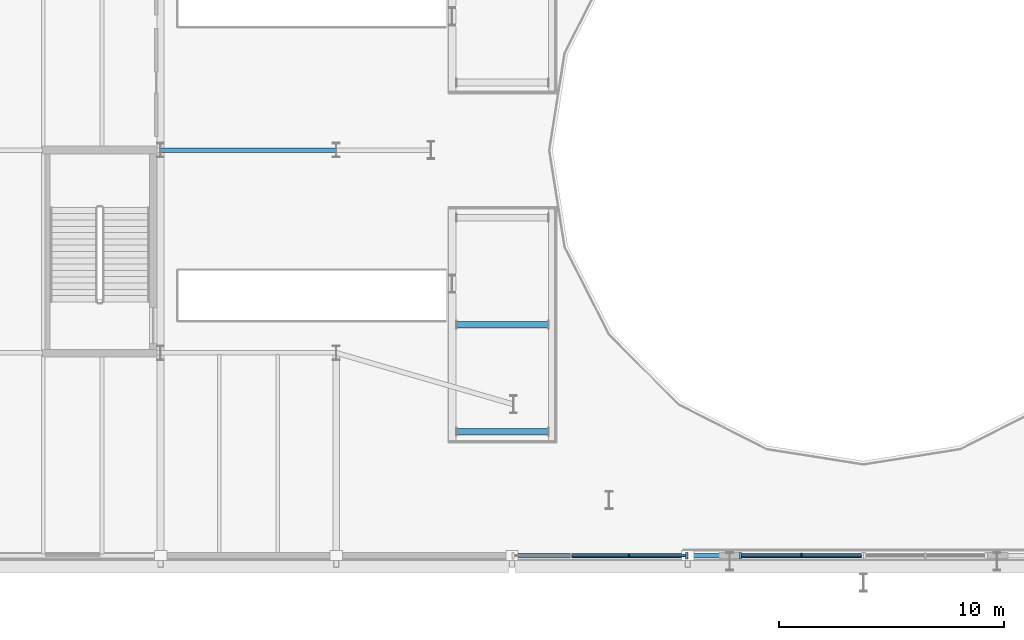
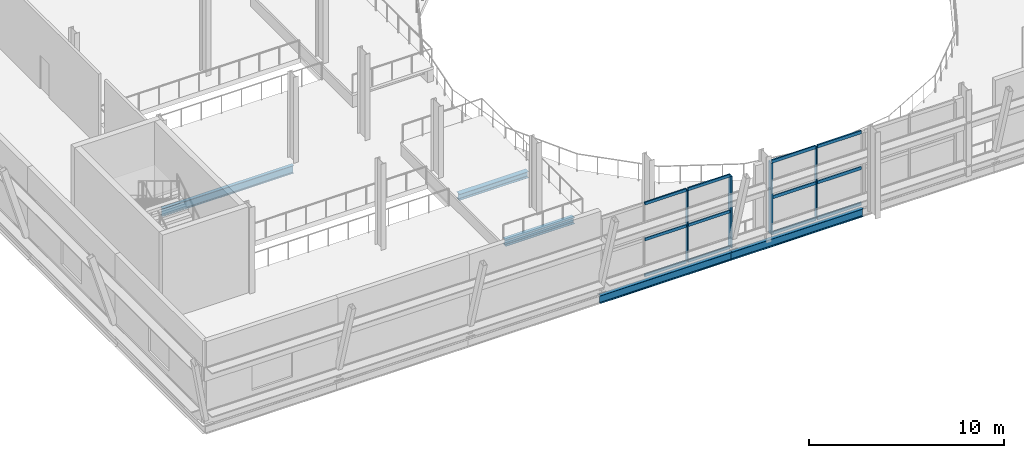
# One storey, part 17 of 78: 16 members, 5 beams, 2 elements without a shape of their own.
"""IFC4 building model written with IfcOpenShell, lengths in metres."""

import ifcopenshell
import ifcopenshell.guid

model = None  # the IFC model being written
_history = None  # IfcOwnerHistory: only IFC2X3 demands one
_inside = {}  # id of a spatial element -> (the spatial element, [elements in it])
_under = {}  # id of a project, library or spatial element -> (it, [spatial elements below it])
_declared = {}  # id of a project -> (the project, [libraries it declares])
_typed = {}  # id of a type object -> (the type object, [elements of that type])
_made_of = {}  # id of a material, layer set ... -> (it, [elements and type objects made of it])


def new_model(schema):
    """Start an empty IFC model of exactly this schema.

    Asked for "IFC4X3", IfcOpenShell would pick the latest addendum, in which some entities
    have other attributes; the version numbers below select the first issue.
    IFC2X3 requires an IfcOwnerHistory on every rooted entity: one is made here for all.
    """
    global model, _history
    if schema == "IFC4X3":
        model = ifcopenshell.file(schema_version=(4, 3, 0, 0))
    else:
        model = ifcopenshell.file(schema=schema)
    _inside.clear()
    _under.clear()
    _declared.clear()
    _typed.clear()
    _made_of.clear()
    _history = None
    if model.schema == "IFC2X3":
        org = make("IfcOrganization", Name="unknown")
        user = make(
            "IfcPersonAndOrganization",
            ThePerson=make("IfcPerson", FamilyName="unknown"),
            TheOrganization=org,
        )
        app = make(
            "IfcApplication",
            ApplicationDeveloper=org,
            Version="unknown",
            ApplicationFullName="unknown",
            ApplicationIdentifier="unknown",
        )
        _history = make(
            "IfcOwnerHistory",
            OwningUser=user,
            OwningApplication=app,
            ChangeAction="ADDED",
            CreationDate=0,
        )
    return model


def make(cls, **values):
    """One entity of the class cls with the attributes given. An attribute that is None is left unset."""
    return model.create_entity(
        cls, **{name: value for name, value in values.items() if value is not None}
    )


def rooted(cls, **values):
    """An entity with a GlobalId (a new one), such as an element, a storey or a relation."""
    return make(cls, GlobalId=ifcopenshell.guid.new(), OwnerHistory=_history, **values)


def si_unit(unit_type, name, prefix=None):
    """IfcSIUnit, for example si_unit("LENGTHUNIT", "METRE", prefix="MILLI")."""
    return make("IfcSIUnit", UnitType=unit_type, Prefix=prefix, Name=name)


def assignment(units):
    """IfcUnitAssignment: the units of a project."""
    return None if units is None else make("IfcUnitAssignment", Units=units)


def point(xyz):
    """IfcCartesianPoint."""
    return None if xyz is None else make("IfcCartesianPoint", Coordinates=xyz)


def direction(xyz):
    """IfcDirection."""
    return None if xyz is None else make("IfcDirection", DirectionRatios=xyz)


def frame(location, z_axis=None, x_axis=None):
    """IfcAxis2Placement3D, a coordinate frame: its origin and axes. An axis left out is left unset."""
    return make(
        "IfcAxis2Placement3D",
        Location=point(location),
        Axis=direction(z_axis),
        RefDirection=direction(x_axis),
    )


def frame_2d(location, x_axis=None):
    """IfcAxis2Placement2D, a coordinate frame in the plane: its origin and x axis."""
    return make(
        "IfcAxis2Placement2D", Location=point(location), RefDirection=direction(x_axis)
    )


def origin():
    """The frame at (0, 0, 0) with its axes left unset."""
    return frame((0.0, 0.0, 0.0))


def origin_2d():
    """The frame at (0, 0) in the plane with its x axis left unset."""
    return frame_2d((0.0, 0.0))


def place(relative_to, where):
    """IfcLocalPlacement: puts the frame where relative to a parent placement (None: the world)."""
    return make(
        "IfcLocalPlacement", PlacementRelTo=relative_to, RelativePlacement=where
    )


def context(
    kind, dimensions, precision=None, world=None, true_north=None, identifier=None
):
    """IfcGeometricRepresentationContext, for example the 3D "Model" context."""
    return make(
        "IfcGeometricRepresentationContext",
        ContextIdentifier=identifier,
        ContextType=kind,
        CoordinateSpaceDimension=dimensions,
        Precision=precision,
        WorldCoordinateSystem=world,
        TrueNorth=true_north,
    )


def subcontext(parent, identifier, kind, view, scale=None):
    """IfcGeometricRepresentationSubContext, for example "Body" below "Model"."""
    return make(
        "IfcGeometricRepresentationSubContext",
        ContextIdentifier=identifier,
        ContextType=kind,
        ParentContext=parent,
        TargetScale=scale,
        TargetView=view,
    )


def project(units=None, contexts=None):
    """IfcProject with its units and contexts."""
    return rooted(
        "IfcProject",
        Name="project",
        RepresentationContexts=contexts,
        UnitsInContext=assignment(units),
    )


def spatial(cls, under=None, at=None, **own):
    """A site, building, storey or space (cls), placed at a placement, below another one or the project."""
    s = rooted(cls, ObjectPlacement=at, **own)
    if under is not None:
        _under.setdefault(under.id(), (under, []))[1].append(s)
    return s


def profile(cls, at=None, kind="AREA", **sizes):
    """A parametric profile (cls). Its sizes go by their IFC names, for example OverallWidth=200.0."""
    return make(cls, ProfileType=kind, Position=at, **sizes)


def rectangle(**sizes):
    """IfcRectangleProfileDef."""
    return profile("IfcRectangleProfileDef", **sizes)


def i_section(**sizes):
    """IfcIShapeProfileDef."""
    return profile("IfcIShapeProfileDef", **sizes)


def extrude(swept, where, along, depth):
    """IfcExtrudedAreaSolid: the profile swept, set in the frame where, extruded along a direction by depth."""
    return make(
        "IfcExtrudedAreaSolid",
        SweptArea=swept,
        Position=where,
        ExtrudedDirection=direction(along),
        Depth=depth,
    )


def shape(context_of_items, identifier, shape_type, items):
    """IfcShapeRepresentation: the items that make up one representation, for example the "Body"."""
    return make(
        "IfcShapeRepresentation",
        ContextOfItems=context_of_items,
        RepresentationIdentifier=identifier,
        RepresentationType=shape_type,
        Items=items,
    )


def material(Name=None, Category=None):
    """IfcMaterial."""
    return make("IfcMaterial", Name=Name, Category=Category)


def layer(
    of_material, thickness, ventilated=None, Name=None, Category=None, Priority=None
):
    """IfcMaterialLayer: one layer of a wall or slab, of a material (None: an air gap)."""
    return make(
        "IfcMaterialLayer",
        Material=of_material,
        LayerThickness=thickness,
        IsVentilated=ventilated,
        Name=Name,
        Category=Category,
        Priority=Priority,
    )


def layer_set(layers, Name=None):
    """IfcMaterialLayerSet."""
    return make("IfcMaterialLayerSet", MaterialLayers=layers, LayerSetName=Name)


def material_profile(
    of_material, cross_section, Name=None, Category=None, Priority=None
):
    """IfcMaterialProfile: a cross section and its material."""
    return make(
        "IfcMaterialProfile",
        Name=Name,
        Material=of_material,
        Profile=cross_section,
        Priority=Priority,
        Category=Category,
    )


def profile_set(profiles, Name=None, composite=None):
    """IfcMaterialProfileSet."""
    return make(
        "IfcMaterialProfileSet",
        Name=Name,
        MaterialProfiles=profiles,
        CompositeProfile=composite,
    )


def made_of(thing, what):
    """Note that an element or type object is made of a material, layer set ...; save() writes the relation."""
    if what is not None:
        _made_of.setdefault(what.id(), (what, []))[1].append(thing)
    return thing


def type_object(cls, material=None, **own):
    """A type object (cls), such as IfcWallType, which elements share."""
    return made_of(rooted(cls, **own), material)


def element(
    cls,
    number,
    at=None,
    inside=None,
    cuts=None,
    type_object=None,
    material=None,
    context=None,
    identifier="Body",
    shape_type=None,
    held_by="IfcProductDefinitionShape",
    body=None,
    shapes=None,
    **own,
):
    """One element of the class cls, such as IfcWall. Its Tag is "e" and its number.

    at: its placement. inside: the storey or other place that contains it. cuts: it is an
    opening in that element (IfcRelVoidsElement). A single representation is given by context,
    identifier, shape_type and body (its items); several are given by shapes. held_by: the class
    of the entity that holds the representations. save() writes the other relations.
    """
    e = rooted(cls, Tag="e%d" % number, ObjectPlacement=at, **own)
    if body is not None:
        shapes = [shape(context, identifier, shape_type, body)]
    if shapes is not None:
        e.Representation = make(held_by, Representations=shapes)
    if inside is not None:
        _inside.setdefault(inside.id(), (inside, []))[1].append(e)
    if cuts is not None:
        rooted(
            "IfcRelVoidsElement", RelatingBuildingElement=cuts, RelatedOpeningElement=e
        )
    if type_object is not None:
        _typed.setdefault(type_object.id(), (type_object, []))[1].append(e)
    return made_of(e, material)


def aggregate(whole, parts):
    """IfcRelAggregates: a whole, such as a stair, and the parts it consists of."""
    return rooted("IfcRelAggregates", RelatingObject=whole, RelatedObjects=parts)


def save(model, path):
    """Write the relations noted so far, then the file.

    IfcRelAggregates (storeys below a building ...), IfcRelContainedInSpatialStructure (elements
    in a storey), IfcRelDefinesByType, IfcRelAssociatesMaterial and IfcRelDeclares: one each for
    every whole, place, type object, material and project.
    """
    for whole, parts in _under.values():
        aggregate(whole, parts)
    for where, things in _inside.values():
        rooted(
            "IfcRelContainedInSpatialStructure",
            RelatedElements=things,
            RelatingStructure=where,
        )
    for kind, things in _typed.values():
        rooted("IfcRelDefinesByType", RelatedObjects=things, RelatingType=kind)
    for what, things in _made_of.values():
        rooted("IfcRelAssociatesMaterial", RelatedObjects=things, RelatingMaterial=what)
    for by, libraries in _declared.values():
        rooted("IfcRelDeclares", RelatingContext=by, RelatedDefinitions=libraries)
    model.write(path)


model = new_model("IFC4")

# Units and contexts
model_context = context("Model", 3, precision=1e-05, world=origin(), true_north=direction((0.0, 1.0)))
body_context = subcontext(model_context, "Body", "Model", "MODEL_VIEW")
ifc_project = project(units=[si_unit("LENGTHUNIT", "METRE"), si_unit("AREAUNIT", "SQUARE_METRE"), si_unit("VOLUMEUNIT", "CUBIC_METRE"), si_unit("PLANEANGLEUNIT", "RADIAN"), si_unit("MASSUNIT", "GRAM", prefix="KILO")], contexts=[model_context])

# Site, building, storey
site_placement = place(None, origin())
site = spatial("IfcSite", under=ifc_project, at=site_placement, CompositionType="ELEMENT")
building_placement = place(site_placement, origin())
building = spatial("IfcBuilding", under=site, at=building_placement, Name="Sefraquen Railside Congress Hotel", CompositionType="ELEMENT")
storey_placement = place(building_placement, frame((0.0, 0.0, 6.0)))
storey = spatial("IfcBuildingStorey", under=building, at=storey_placement, Name="L01", CompositionType="ELEMENT", Elevation=6.0)

# Beams
ifc_material_1 = material(Name="Steel S355JR", Category="steel")
ifc_material_profile_1 = material_profile(ifc_material_1, i_section(OverallWidth=0.300048828125, OverallDepth=0.389892578125, WebThickness=0.010986328125, FlangeThickness=0.01904296875, FilletRadius=0.027099609375, at=origin_2d()), Name="HEA 400")
ifc_profile_set_1 = profile_set([ifc_material_profile_1], Name="Steel S355JR")
beam_type_1 = type_object("IfcBeamType", Name="TB-BM-400", PredefinedType="BEAM", material=ifc_profile_set_1)
for number, where, z_axis, x_axis, name in (
    (1, (46.125, 14.5, 0.544921875), (1.0, 0.0, 0.0), (0.0, 1.0, 0.0), "Congress Upper Tier RAKER beam L01-01A"),
    (2, (46.125, 19.25, 0.544921875), (1.0, 0.0, 0.0), (0.0, 1.0, 0.0), "Congress Upper Tier RAKER beam L01-01M"),
):
    element("IfcBeam", number, at=place(storey_placement, frame(where, z_axis=z_axis, x_axis=x_axis)), inside=storey, type_object=beam_type_1, Name=name, PredefinedType="BEAM", context=body_context, shape_type="SweptSolid", body=[
        extrude(i_section(OverallWidth=0.300048828125, OverallDepth=0.389892578125, WebThickness=0.010986328125, FlangeThickness=0.01904296875, FilletRadius=0.027099609375, at=origin_2d()), origin(), (0.0, 0.0, 1.0), 4.10009765625),
    ])
ifc_material_profile_2 = material_profile(ifc_material_1, i_section(OverallWidth=0.199951171875, OverallDepth=0.5, WebThickness=0.01025390625, FlangeThickness=0.01611328125, FilletRadius=0.02099609375, at=origin_2d()), Name="IPE 500")
ifc_profile_set_2 = profile_set([ifc_material_profile_2], Name="Steel S355JR")
beam_type_2 = type_object("IfcBeamType", Name="TB-BM-500", PredefinedType="BEAM", material=ifc_profile_set_2)
beam_placement = place(storey_placement, frame((48.60009765625, 9.0, -0.550048828125), z_axis=(1.0, 0.0, 0.0), x_axis=(0.0, 1.0, 0.0)))
element("IfcBeam", 3, at=beam_placement, inside=storey, type_object=beam_type_2, Name="Primary girder BM-L01-0342", PredefinedType="BEAM", context=body_context, shape_type="SweptSolid", body=[
    extrude(i_section(OverallWidth=0.199951171875, OverallDepth=0.5, WebThickness=0.01025390625, FlangeThickness=0.01611328125, FilletRadius=0.02099609375, at=origin_2d()), origin(), (0.0, 0.0, 1.0), 7.7998046875),
])
for number, where, z_axis, x_axis, name in (
    (4, (56.39990234375, 9.0, -0.550048828125), (1.0, 0.0, 0.0), (0.0, 1.0, 0.0), "Primary girder BM-L01-0343"),
    (5, (33.0, 27.0, -0.550048828125), (1.0, 0.0, 0.0), (0.0, 1.0, 0.0), "Primary girder BM-L01-0366"),
):
    element("IfcBeam", number, at=place(storey_placement, frame(where, z_axis=z_axis, x_axis=x_axis)), inside=storey, type_object=beam_type_2, Name=name, PredefinedType="BEAM", context=body_context, shape_type="SweptSolid", body=[
        extrude(i_section(OverallWidth=0.199951171875, OverallDepth=0.5, WebThickness=0.01025390625, FlangeThickness=0.01611328125, FilletRadius=0.02099609375, at=origin_2d()), origin(), (0.0, 0.0, 1.0), 7.800048828125),
    ])

# Curtain wall, member
ifc_material_2 = material(Name="Thermally broken anodised aluminium and low-E double glazing", Category="aluminium")
ifc_layer_1 = layer(ifc_material_2, 0.199951171875)
ifc_layer_set_1 = layer_set([ifc_layer_1], Name="Thermally broken anodised aluminium and low-E double glazing")
curtain_wall_type_1 = type_object("IfcCurtainWallType", Name="TCW-UCW-05", PredefinedType="USERDEFINED", material=ifc_layer_set_1)
curtain_wall_1_placement = place(storey_placement, origin())
curtain_wall_1 = element("IfcCurtainWall", 6, at=curtain_wall_1_placement, inside=storey, type_object=curtain_wall_type_1, Name="Congress leaning south curtain wall L01-4", ObjectType="UNITISED CURTAIN WALL", PredefinedType="USERDEFINED")
ifc_material_3 = material(Name="Thermally broken anodised aluminium 6063-T6", Category="aluminium")
ifc_material_profile_3 = material_profile(ifc_material_3, rectangle(XDim=0.06494140625, YDim=0.179931640625, at=origin_2d()), Name="CWM 65x180")
ifc_profile_set_3 = profile_set([ifc_material_profile_3], Name="Thermally broken anodised aluminium 6063-T6")
member_type_1 = type_object("IfcMemberType", Name="TM-CWM-02", PredefinedType="MULLION", material=ifc_profile_set_3)
member_1_placement = place(storey_placement, frame((53.78662109375, 9.0, 0.0), z_axis=(0.0, 0.0, 1.0), x_axis=(1.0, 0.0, 0.0)))
member_1 = element("IfcMember", 7, at=member_1_placement, type_object=member_type_1, Name="CW-L01-037 mullion 3", PredefinedType="MULLION", context=body_context, shape_type="SweptSolid", body=[
    extrude(rectangle(XDim=0.06494140625, YDim=0.179931640625, at=origin_2d()), origin(), (0.0, 0.0, 1.0), 4.5),
])

ifc_layer_2 = layer(ifc_material_2, 0.199951171875)
ifc_layer_set_2 = layer_set([ifc_layer_2], Name="Thermally broken anodised aluminium and low-E double glazing")
curtain_wall_type_2 = type_object("IfcCurtainWallType", Name="TCW-UCW-06", PredefinedType="USERDEFINED", material=ifc_layer_set_2)
curtain_wall_2_placement = place(storey_placement, origin())
curtain_wall_2 = element("IfcCurtainWall", 8, at=curtain_wall_2_placement, inside=storey, type_object=curtain_wall_type_2, Name="Congress leaning south curtain wall L01-5", ObjectType="UNITISED CURTAIN WALL", PredefinedType="USERDEFINED")
ifc_material_profile_4 = material_profile(ifc_material_3, rectangle(XDim=0.070068359375, YDim=0.199951171875, at=origin_2d()), Name="CWM 70x200")
ifc_profile_set_4 = profile_set([ifc_material_profile_4], Name="Thermally broken anodised aluminium 6063-T6")
member_type_2 = type_object("IfcMemberType", Name="TM-CWM-03", PredefinedType="MULLION", material=ifc_profile_set_4)
member_2_placement = place(storey_placement, frame((61.453369140625, 9.0, 0.0), z_axis=(0.0, 0.0, 1.0), x_axis=(1.0, 0.0, 0.0)))
member_2 = element("IfcMember", 9, at=member_2_placement, type_object=member_type_2, Name="CW-L01-038 mullion 2", PredefinedType="MULLION", context=body_context, shape_type="SweptSolid", body=[
    extrude(rectangle(XDim=0.070068359375, YDim=0.199951171875, at=origin_2d()), origin(), (0.0, 0.0, 1.0), 4.5),
])

# Member
ifc_material_profile_5 = material_profile(ifc_material_3, rectangle(XDim=0.094970703125, YDim=0.300048828125, at=origin_2d()), Name="CWM 95x300")
ifc_profile_set_5 = profile_set([ifc_material_profile_5], Name="Thermally broken anodised aluminium 6063-T6")
member_type_3 = type_object("IfcMemberType", Name="TM-CWM-08", PredefinedType="MULLION", material=ifc_profile_set_5)
member_3_placement = place(storey_placement, frame((56.360107421875, 9.0, 0.0), z_axis=(0.0, 0.0, 1.0), x_axis=(1.0, 0.0, 0.0)))
member_3 = element("IfcMember", 10, at=member_3_placement, type_object=member_type_3, Name="CW-L01-037 mullion 4", PredefinedType="MULLION", context=body_context, shape_type="SweptSolid", body=[
    extrude(rectangle(XDim=0.094970703125, YDim=0.300048828125, at=origin_2d()), origin(), (0.0, 0.0, 1.0), 4.5),
])

member_4_placement = place(storey_placement, frame((58.746826171875, 9.0, 0.0), z_axis=(0.0, 0.0, 1.0), x_axis=(1.0, 0.0, 0.0)))
member_4 = element("IfcMember", 11, at=member_4_placement, type_object=member_type_3, Name="CW-L01-038 mullion 1", PredefinedType="MULLION", context=body_context, shape_type="SweptSolid", body=[
    extrude(rectangle(XDim=0.094970703125, YDim=0.300048828125, at=origin_2d()), origin(), (0.0, 0.0, 1.0), 4.5),
])

ifc_material_profile_6 = material_profile(ifc_material_3, rectangle(XDim=0.080078125, YDim=0.179931640625, at=origin_2d()), Name="CWT 80x180")
ifc_profile_set_6 = profile_set([ifc_material_profile_6], Name="Thermally broken anodised aluminium 6063-T6")
member_type_4 = type_object("IfcMemberType", Name="TM-CWT-05", PredefinedType="USERDEFINED", material=ifc_profile_set_6)
member_5_placement = place(storey_placement, frame((51.25830078125, 9.0, 0.0), z_axis=(1.0, 0.0, 0.0), x_axis=(0.0, 1.0, 0.0)))
member_5 = element("IfcMember", 12, at=member_5_placement, type_object=member_type_4, Name="CW-L01-037 transom 1.2", ObjectType="TRANSOM", PredefinedType="USERDEFINED", context=body_context, shape_type="SweptSolid", body=[
    extrude(rectangle(XDim=0.080078125, YDim=0.179931640625, at=origin_2d()), origin(), (0.0, 0.0, 1.0), 2.4833984375),
])

member_6_placement = place(storey_placement, frame((53.831787109375, 9.0, 0.0), z_axis=(1.0, 0.0, 0.0), x_axis=(0.0, 1.0, 0.0)))
member_6 = element("IfcMember", 13, at=member_6_placement, type_object=member_type_4, Name="CW-L01-037 transom 1.3", ObjectType="TRANSOM", PredefinedType="USERDEFINED", context=body_context, shape_type="SweptSolid", body=[
    extrude(rectangle(XDim=0.080078125, YDim=0.179931640625, at=origin_2d()), origin(), (0.0, 0.0, 1.0), 2.483154296875),
])

member_7_placement = place(storey_placement, frame((51.25830078125, 9.0, 2.25), z_axis=(1.0, 0.0, 0.0), x_axis=(0.0, 1.0, 0.0)))
member_7 = element("IfcMember", 14, at=member_7_placement, type_object=member_type_4, Name="CW-L01-037 transom 2.2", ObjectType="TRANSOM", PredefinedType="USERDEFINED", context=body_context, shape_type="SweptSolid", body=[
    extrude(rectangle(XDim=0.080078125, YDim=0.179931640625, at=origin_2d()), origin(), (0.0, 0.0, 1.0), 2.4833984375),
])

member_8_placement = place(storey_placement, frame((53.831787109375, 9.0, 2.25), z_axis=(1.0, 0.0, 0.0), x_axis=(0.0, 1.0, 0.0)))
member_8 = element("IfcMember", 15, at=member_8_placement, type_object=member_type_4, Name="CW-L01-037 transom 2.3", ObjectType="TRANSOM", PredefinedType="USERDEFINED", context=body_context, shape_type="SweptSolid", body=[
    extrude(rectangle(XDim=0.080078125, YDim=0.179931640625, at=origin_2d()), origin(), (0.0, 0.0, 1.0), 2.483154296875),
])

member_9_placement = place(storey_placement, frame((51.25830078125, 9.0, 4.5), z_axis=(1.0, 0.0, 0.0), x_axis=(0.0, 1.0, 0.0)))
member_9 = element("IfcMember", 16, at=member_9_placement, type_object=member_type_4, Name="CW-L01-037 transom 3.2", ObjectType="TRANSOM", PredefinedType="USERDEFINED", context=body_context, shape_type="SweptSolid", body=[
    extrude(rectangle(XDim=0.080078125, YDim=0.179931640625, at=origin_2d()), origin(), (0.0, 0.0, 1.0), 2.4833984375),
])

member_10_placement = place(storey_placement, frame((53.831787109375, 9.0, 4.5), z_axis=(1.0, 0.0, 0.0), x_axis=(0.0, 1.0, 0.0)))
member_10 = element("IfcMember", 17, at=member_10_placement, type_object=member_type_4, Name="CW-L01-037 transom 3.3", ObjectType="TRANSOM", PredefinedType="USERDEFINED", context=body_context, shape_type="SweptSolid", body=[
    extrude(rectangle(XDim=0.080078125, YDim=0.179931640625, at=origin_2d()), origin(), (0.0, 0.0, 1.0), 2.483154296875),
])

aggregate(curtain_wall_1, [member_1, member_3, member_5, member_6, member_7, member_8, member_9, member_10])

ifc_material_profile_7 = material_profile(ifc_material_3, rectangle(XDim=0.0849609375, YDim=0.195068359375, at=origin_2d()), Name="CWT 85x195")
ifc_profile_set_7 = profile_set([ifc_material_profile_7], Name="Thermally broken anodised aluminium 6063-T6")
member_type_5 = type_object("IfcMemberType", Name="TM-CWT-06", PredefinedType="USERDEFINED", material=ifc_profile_set_7)
member_11_placement = place(storey_placement, frame((58.7919921875, 9.0, 0.0), z_axis=(1.0, 0.0, 0.0), x_axis=(0.0, 1.0, 0.0)))
member_11 = element("IfcMember", 18, at=member_11_placement, type_object=member_type_5, Name="CW-L01-038 transom 1.1", ObjectType="TRANSOM", PredefinedType="USERDEFINED", context=body_context, shape_type="SweptSolid", body=[
    extrude(rectangle(XDim=0.0849609375, YDim=0.195068359375, at=origin_2d()), origin(), (0.0, 0.0, 1.0), 2.616455078125),
])

member_12_placement = place(storey_placement, frame((61.498291015625, 9.0, 0.0), z_axis=(1.0, 0.0, 0.0), x_axis=(0.0, 1.0, 0.0)))
member_12 = element("IfcMember", 19, at=member_12_placement, type_object=member_type_5, Name="CW-L01-038 transom 1.2", ObjectType="TRANSOM", PredefinedType="USERDEFINED", context=body_context, shape_type="SweptSolid", body=[
    extrude(rectangle(XDim=0.0849609375, YDim=0.195068359375, at=origin_2d()), origin(), (0.0, 0.0, 1.0), 2.61669921875),
])

member_13_placement = place(storey_placement, frame((58.7919921875, 9.0, 2.25), z_axis=(1.0, 0.0, 0.0), x_axis=(0.0, 1.0, 0.0)))
member_13 = element("IfcMember", 20, at=member_13_placement, type_object=member_type_5, Name="CW-L01-038 transom 2.1", ObjectType="TRANSOM", PredefinedType="USERDEFINED", context=body_context, shape_type="SweptSolid", body=[
    extrude(rectangle(XDim=0.0849609375, YDim=0.195068359375, at=origin_2d()), origin(), (0.0, 0.0, 1.0), 2.616455078125),
])

member_14_placement = place(storey_placement, frame((61.498291015625, 9.0, 2.25), z_axis=(1.0, 0.0, 0.0), x_axis=(0.0, 1.0, 0.0)))
member_14 = element("IfcMember", 21, at=member_14_placement, type_object=member_type_5, Name="CW-L01-038 transom 2.2", ObjectType="TRANSOM", PredefinedType="USERDEFINED", context=body_context, shape_type="SweptSolid", body=[
    extrude(rectangle(XDim=0.0849609375, YDim=0.195068359375, at=origin_2d()), origin(), (0.0, 0.0, 1.0), 2.61669921875),
])

member_15_placement = place(storey_placement, frame((58.7919921875, 9.0, 4.5), z_axis=(1.0, 0.0, 0.0), x_axis=(0.0, 1.0, 0.0)))
member_15 = element("IfcMember", 22, at=member_15_placement, type_object=member_type_5, Name="CW-L01-038 transom 3.1", ObjectType="TRANSOM", PredefinedType="USERDEFINED", context=body_context, shape_type="SweptSolid", body=[
    extrude(rectangle(XDim=0.0849609375, YDim=0.195068359375, at=origin_2d()), origin(), (0.0, 0.0, 1.0), 2.616455078125),
])

member_16_placement = place(storey_placement, frame((61.498291015625, 9.0, 4.5), z_axis=(1.0, 0.0, 0.0), x_axis=(0.0, 1.0, 0.0)))
member_16 = element("IfcMember", 23, at=member_16_placement, type_object=member_type_5, Name="CW-L01-038 transom 3.2", ObjectType="TRANSOM", PredefinedType="USERDEFINED", context=body_context, shape_type="SweptSolid", body=[
    extrude(rectangle(XDim=0.0849609375, YDim=0.195068359375, at=origin_2d()), origin(), (0.0, 0.0, 1.0), 2.61669921875),
])

aggregate(curtain_wall_2, [member_4, member_2, member_11, member_12, member_13, member_14, member_15, member_16])

save(model, "model.ifc")
